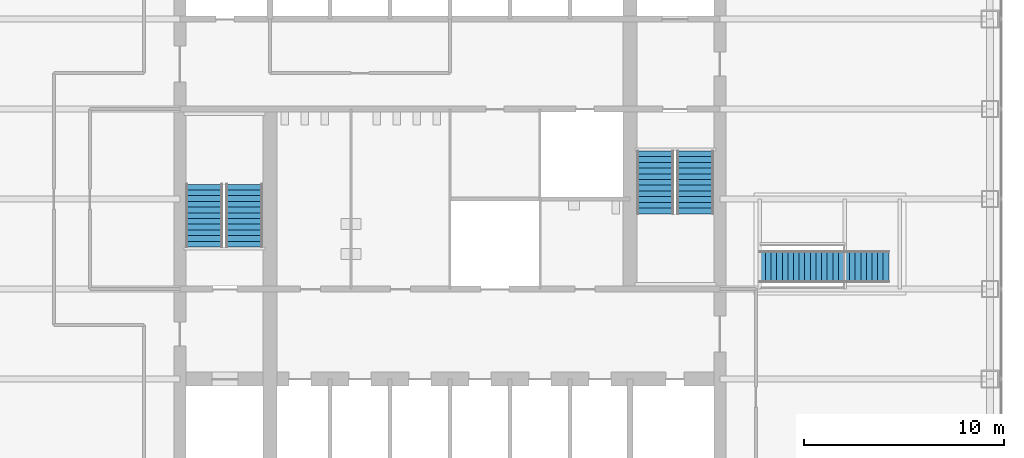
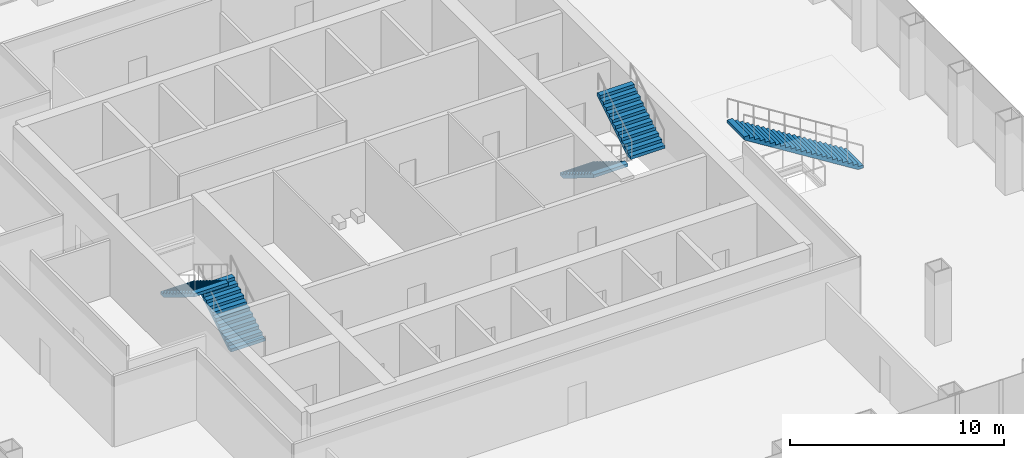
# One storey, part 10 of 12: 5 stair flights, 3 elements without a shape of their own.
"""IFC4 building model written with IfcOpenShell, lengths in metres."""

import ifcopenshell
import ifcopenshell.guid

model = None  # the IFC model being written
_history = None  # IfcOwnerHistory: only IFC2X3 demands one
_inside = {}  # id of a spatial element -> (the spatial element, [elements in it])
_under = {}  # id of a project, library or spatial element -> (it, [spatial elements below it])
_declared = {}  # id of a project -> (the project, [libraries it declares])
_typed = {}  # id of a type object -> (the type object, [elements of that type])
_made_of = {}  # id of a material, layer set ... -> (it, [elements and type objects made of it])


def new_model(schema):
    """Start an empty IFC model of exactly this schema.

    Asked for "IFC4X3", IfcOpenShell would pick the latest addendum, in which some entities
    have other attributes; the version numbers below select the first issue.
    IFC2X3 requires an IfcOwnerHistory on every rooted entity: one is made here for all.
    """
    global model, _history
    if schema == "IFC4X3":
        model = ifcopenshell.file(schema_version=(4, 3, 0, 0))
    else:
        model = ifcopenshell.file(schema=schema)
    _inside.clear()
    _under.clear()
    _declared.clear()
    _typed.clear()
    _made_of.clear()
    _history = None
    if model.schema == "IFC2X3":
        org = make("IfcOrganization", Name="unknown")
        user = make(
            "IfcPersonAndOrganization",
            ThePerson=make("IfcPerson", FamilyName="unknown"),
            TheOrganization=org,
        )
        app = make(
            "IfcApplication",
            ApplicationDeveloper=org,
            Version="unknown",
            ApplicationFullName="unknown",
            ApplicationIdentifier="unknown",
        )
        _history = make(
            "IfcOwnerHistory",
            OwningUser=user,
            OwningApplication=app,
            ChangeAction="ADDED",
            CreationDate=0,
        )
    return model


def make(cls, **values):
    """One entity of the class cls with the attributes given. An attribute that is None is left unset."""
    return model.create_entity(
        cls, **{name: value for name, value in values.items() if value is not None}
    )


def rooted(cls, **values):
    """An entity with a GlobalId (a new one), such as an element, a storey or a relation."""
    return make(cls, GlobalId=ifcopenshell.guid.new(), OwnerHistory=_history, **values)


def si_unit(unit_type, name, prefix=None):
    """IfcSIUnit, for example si_unit("LENGTHUNIT", "METRE", prefix="MILLI")."""
    return make("IfcSIUnit", UnitType=unit_type, Prefix=prefix, Name=name)


def assignment(units):
    """IfcUnitAssignment: the units of a project."""
    return None if units is None else make("IfcUnitAssignment", Units=units)


def point(xyz):
    """IfcCartesianPoint."""
    return None if xyz is None else make("IfcCartesianPoint", Coordinates=xyz)


def direction(xyz):
    """IfcDirection."""
    return None if xyz is None else make("IfcDirection", DirectionRatios=xyz)


def frame(location, z_axis=None, x_axis=None):
    """IfcAxis2Placement3D, a coordinate frame: its origin and axes. An axis left out is left unset."""
    return make(
        "IfcAxis2Placement3D",
        Location=point(location),
        Axis=direction(z_axis),
        RefDirection=direction(x_axis),
    )


def origin():
    """The frame at (0, 0, 0) with its axes left unset."""
    return frame((0.0, 0.0, 0.0))


def place(relative_to, where):
    """IfcLocalPlacement: puts the frame where relative to a parent placement (None: the world)."""
    return make(
        "IfcLocalPlacement", PlacementRelTo=relative_to, RelativePlacement=where
    )


def context(
    kind, dimensions, precision=None, world=None, true_north=None, identifier=None
):
    """IfcGeometricRepresentationContext, for example the 3D "Model" context."""
    return make(
        "IfcGeometricRepresentationContext",
        ContextIdentifier=identifier,
        ContextType=kind,
        CoordinateSpaceDimension=dimensions,
        Precision=precision,
        WorldCoordinateSystem=world,
        TrueNorth=true_north,
    )


def subcontext(parent, identifier, kind, view, scale=None):
    """IfcGeometricRepresentationSubContext, for example "Body" below "Model"."""
    return make(
        "IfcGeometricRepresentationSubContext",
        ContextIdentifier=identifier,
        ContextType=kind,
        ParentContext=parent,
        TargetScale=scale,
        TargetView=view,
    )


def project(units=None, contexts=None):
    """IfcProject with its units and contexts."""
    return rooted(
        "IfcProject",
        Name="project",
        RepresentationContexts=contexts,
        UnitsInContext=assignment(units),
    )


def spatial(cls, under=None, at=None, **own):
    """A site, building, storey or space (cls), placed at a placement, below another one or the project."""
    s = rooted(cls, ObjectPlacement=at, **own)
    if under is not None:
        _under.setdefault(under.id(), (under, []))[1].append(s)
    return s


def polyline(points):
    """IfcPolyline through the points."""
    return make("IfcPolyline", Points=[point(p) for p in points])


def outline(outer, holes=None, kind="AREA"):
    """IfcArbitraryClosedProfileDef: a profile drawn as a closed curve; with holes, ...WithVoids."""
    if holes is None:
        return make("IfcArbitraryClosedProfileDef", ProfileType=kind, OuterCurve=outer)
    return make(
        "IfcArbitraryProfileDefWithVoids",
        ProfileType=kind,
        OuterCurve=outer,
        InnerCurves=holes,
    )


def extrude(swept, where, along, depth):
    """IfcExtrudedAreaSolid: the profile swept, set in the frame where, extruded along a direction by depth."""
    return make(
        "IfcExtrudedAreaSolid",
        SweptArea=swept,
        Position=where,
        ExtrudedDirection=direction(along),
        Depth=depth,
    )


def shape(context_of_items, identifier, shape_type, items):
    """IfcShapeRepresentation: the items that make up one representation, for example the "Body"."""
    return make(
        "IfcShapeRepresentation",
        ContextOfItems=context_of_items,
        RepresentationIdentifier=identifier,
        RepresentationType=shape_type,
        Items=items,
    )


def material(Name=None, Category=None):
    """IfcMaterial."""
    return make("IfcMaterial", Name=Name, Category=Category)


def made_of(thing, what):
    """Note that an element or type object is made of a material, layer set ...; save() writes the relation."""
    if what is not None:
        _made_of.setdefault(what.id(), (what, []))[1].append(thing)
    return thing


def type_object(cls, material=None, **own):
    """A type object (cls), such as IfcWallType, which elements share."""
    return made_of(rooted(cls, **own), material)


def element(
    cls,
    number,
    at=None,
    inside=None,
    cuts=None,
    type_object=None,
    material=None,
    context=None,
    identifier="Body",
    shape_type=None,
    held_by="IfcProductDefinitionShape",
    body=None,
    shapes=None,
    **own,
):
    """One element of the class cls, such as IfcWall. Its Tag is "e" and its number.

    at: its placement. inside: the storey or other place that contains it. cuts: it is an
    opening in that element (IfcRelVoidsElement). A single representation is given by context,
    identifier, shape_type and body (its items); several are given by shapes. held_by: the class
    of the entity that holds the representations. save() writes the other relations.
    """
    e = rooted(cls, Tag="e%d" % number, ObjectPlacement=at, **own)
    if body is not None:
        shapes = [shape(context, identifier, shape_type, body)]
    if shapes is not None:
        e.Representation = make(held_by, Representations=shapes)
    if inside is not None:
        _inside.setdefault(inside.id(), (inside, []))[1].append(e)
    if cuts is not None:
        rooted(
            "IfcRelVoidsElement", RelatingBuildingElement=cuts, RelatedOpeningElement=e
        )
    if type_object is not None:
        _typed.setdefault(type_object.id(), (type_object, []))[1].append(e)
    return made_of(e, material)


def aggregate(whole, parts):
    """IfcRelAggregates: a whole, such as a stair, and the parts it consists of."""
    return rooted("IfcRelAggregates", RelatingObject=whole, RelatedObjects=parts)


def save(model, path):
    """Write the relations noted so far, then the file.

    IfcRelAggregates (storeys below a building ...), IfcRelContainedInSpatialStructure (elements
    in a storey), IfcRelDefinesByType, IfcRelAssociatesMaterial and IfcRelDeclares: one each for
    every whole, place, type object, material and project.
    """
    for whole, parts in _under.values():
        aggregate(whole, parts)
    for where, things in _inside.values():
        rooted(
            "IfcRelContainedInSpatialStructure",
            RelatedElements=things,
            RelatingStructure=where,
        )
    for kind, things in _typed.values():
        rooted("IfcRelDefinesByType", RelatedObjects=things, RelatingType=kind)
    for what, things in _made_of.values():
        rooted("IfcRelAssociatesMaterial", RelatedObjects=things, RelatingMaterial=what)
    for by, libraries in _declared.values():
        rooted("IfcRelDeclares", RelatingContext=by, RelatedDefinitions=libraries)
    model.write(path)


model = new_model("IFC4")

# Units and contexts
model_context = context("Model", 3, precision=1e-05, world=origin(), true_north=direction((0.0, 1.0)))
body_context = subcontext(model_context, "Body", "Model", "MODEL_VIEW")
ifc_project = project(units=[si_unit("LENGTHUNIT", "METRE"), si_unit("AREAUNIT", "SQUARE_METRE"), si_unit("VOLUMEUNIT", "CUBIC_METRE"), si_unit("PLANEANGLEUNIT", "RADIAN"), si_unit("MASSUNIT", "GRAM", prefix="KILO")], contexts=[model_context])

# Site, building, storey
site_placement = place(None, origin())
site = spatial("IfcSite", under=ifc_project, at=site_placement, CompositionType="ELEMENT")
building_placement = place(site_placement, origin())
building = spatial("IfcBuilding", under=site, at=building_placement, Name="Corais Broadcast Tower", CompositionType="ELEMENT")
storey_placement = place(building_placement, frame((0.0, 0.0, 33.199951171875)))
storey = spatial("IfcBuildingStorey", under=building, at=storey_placement, Name="L06", CompositionType="ELEMENT", Elevation=33.199951171875)

# Stair, stair flight
ifc_material_1 = material(Name="Steel ASTM A572 Grade 50", Category="steel")
stair_type_1 = type_object("IfcStairType", Name="Feature stair", PredefinedType="STRAIGHT_RUN_STAIR", material=ifc_material_1)
stair_1_placement = place(storey_placement, origin())
stair_1 = element("IfcStair", 1, at=stair_1_placement, inside=storey, type_object=stair_type_1, Name="Feature stair L06", PredefinedType="STRAIGHT_RUN_STAIR")
ifc_material_2 = material(Name="Steel ASTM A572 Grade 50", Category="steel")
stair_flight_type_1 = type_object("IfcStairFlightType", Name="Feature stair flight", PredefinedType="STRAIGHT", material=ifc_material_2)
stair_flight_1_placement = place(storey_placement, frame((48.93994140625, 23.625, 0.0), z_axis=(0.0, 0.0, 1.0), x_axis=(-1.0, 0.0, 0.0)))
stair_flight_1 = element("IfcStairFlight", 2, at=stair_flight_1_placement, type_object=stair_flight_type_1, Name="FS1 flight 1", NumberOfRisers=24, NumberOfTreads=23, PredefinedType="STRAIGHT", RiserHeight=0.175, TreadLength=0.28, context=body_context, shape_type="SweptSolid", body=[
    extrude(outline(polyline([(0.0, 0.0), (0.0, 0.175048828125), (0.280029296875, 0.175048828125), (0.280029296875, 0.35009765625), (0.56005859375, 0.35009765625), (0.56005859375, 0.52490234375), (0.840087890625, 0.52490234375), (0.840087890625, 0.699951171875), (1.1201171875, 0.699951171875), (1.1201171875, 0.875), (1.39990234375, 0.875), (1.39990234375, 1.050048828125), (1.679931640625, 1.050048828125), (1.679931640625, 1.22509765625), (1.9599609375, 1.22509765625), (1.9599609375, 1.39990234375), (2.239990234375, 1.39990234375), (2.239990234375, 1.574951171875), (2.52001953125, 1.574951171875), (2.52001953125, 1.75), (2.800048828125, 1.75), (2.800048828125, 1.925048828125), (3.080078125, 1.925048828125), (3.080078125, 2.10009765625), (3.360107421875, 2.10009765625), (3.360107421875, 2.27490234375), (3.639892578125, 2.27490234375), (3.639892578125, 2.449951171875), (3.919921875, 2.449951171875), (3.919921875, 2.625), (4.199951171875, 2.625), (4.199951171875, 2.800048828125), (4.47998046875, 2.800048828125), (4.47998046875, 2.97509765625), (4.760009765625, 2.97509765625), (4.760009765625, 3.14990234375), (5.0400390625, 3.14990234375), (5.0400390625, 3.324951171875), (5.320068359375, 3.324951171875), (5.320068359375, 3.5), (5.60009765625, 3.5), (5.60009765625, 3.675048828125), (5.8798828125, 3.675048828125), (5.8798828125, 3.85009765625), (6.159912109375, 3.85009765625), (6.159912109375, 4.02490234375), (6.43994140625, 4.02490234375), (6.43994140625, 4.199951171875), (6.43994140625, 3.84814453125), (0.28271484375, 0.0), (0.0, 0.0)])), frame((0.0, 0.800048828125, 0.0), z_axis=(0.0, -1.0, 0.0), x_axis=(1.0, 0.0, 0.0)), (0.0, 0.0, 1.0), 1.60009765625),
])
aggregate(stair_1, [stair_flight_1])

# Stair, stair flights
ifc_material_3 = material(Name="Concrete C30/37", Category="concrete")
stair_type_2 = type_object("IfcStairType", Name="Half-turn stair 4200", PredefinedType="HALF_TURN_STAIR", material=ifc_material_3)
stair_2_placement = place(storey_placement, origin())
stair_2 = element("IfcStair", 3, at=stair_2_placement, inside=storey, type_object=stair_type_2, Name="Stair A L06", PredefinedType="HALF_TURN_STAIR")
ifc_material_4 = material(Name="Concrete C30/37", Category="concrete")
stair_flight_type_2 = type_object("IfcStairFlightType", Name="Stair flight 4200", PredefinedType="STRAIGHT", material=ifc_material_4)
stair_flight_2_placement = place(storey_placement, frame((16.72509765625, 24.60009765625, 0.0), z_axis=(0.0, 0.0, 1.0), x_axis=(0.0, 1.0, 0.0)))
stair_flight_2 = element("IfcStairFlight", 4, at=stair_flight_2_placement, type_object=stair_flight_type_2, Name="STA flight 1", NumberOfRisers=12, NumberOfTreads=11, PredefinedType="STRAIGHT", RiserHeight=0.175, TreadLength=0.285, context=body_context, shape_type="SweptSolid", body=[
    extrude(outline(polyline([(0.0, 0.0), (0.0, 0.175048828125), (0.284912109375, 0.175048828125), (0.284912109375, 0.35009765625), (0.570068359375, 0.35009765625), (0.570068359375, 0.52490234375), (0.85498046875, 0.52490234375), (0.85498046875, 0.699951171875), (1.139892578125, 0.699951171875), (1.139892578125, 0.875), (1.425048828125, 0.875), (1.425048828125, 1.050048828125), (1.7099609375, 1.050048828125), (1.7099609375, 1.22509765625), (1.9951171875, 1.22509765625), (1.9951171875, 1.39990234375), (2.280029296875, 1.39990234375), (2.280029296875, 1.574951171875), (2.56494140625, 1.574951171875), (2.56494140625, 1.75), (2.85009765625, 1.75), (2.85009765625, 1.925048828125), (3.135009765625, 1.925048828125), (3.135009765625, 2.10009765625), (3.135009765625, 1.7490234375), (0.286376953125, 0.0), (0.0, 0.0)])), frame((0.0, 0.925048828125, 0.0), z_axis=(0.0, -1.0, 0.0), x_axis=(1.0, 0.0, 0.0)), (0.0, 0.0, 1.0), 1.85009765625),
])
stair_flight_3_placement = place(storey_placement, frame((14.72509765625, 27.735107421875, 2.10009765625), z_axis=(0.0, 0.0, 1.0), x_axis=(0.0, -1.0, 0.0)))
stair_flight_3 = element("IfcStairFlight", 5, at=stair_flight_3_placement, type_object=stair_flight_type_2, Name="STA flight 2", NumberOfRisers=12, NumberOfTreads=11, PredefinedType="STRAIGHT", RiserHeight=0.175, TreadLength=0.285, context=body_context, shape_type="SweptSolid", body=[
    extrude(outline(polyline([(0.0, 0.0), (0.0, 0.175048828125), (0.284912109375, 0.175048828125), (0.284912109375, 0.35009765625), (0.570068359375, 0.35009765625), (0.570068359375, 0.52490234375), (0.85498046875, 0.52490234375), (0.85498046875, 0.699951171875), (1.139892578125, 0.699951171875), (1.139892578125, 0.875), (1.425048828125, 0.875), (1.425048828125, 1.050048828125), (1.7099609375, 1.050048828125), (1.7099609375, 1.22509765625), (1.9951171875, 1.22509765625), (1.9951171875, 1.39990234375), (2.280029296875, 1.39990234375), (2.280029296875, 1.574951171875), (2.56494140625, 1.574951171875), (2.56494140625, 1.75), (2.85009765625, 1.75), (2.85009765625, 1.925048828125), (3.135009765625, 1.925048828125), (3.135009765625, 2.10009765625), (3.135009765625, 1.7490234375), (0.286376953125, 0.0), (0.0, 0.0)])), frame((0.0, 0.925048828125, 0.0), z_axis=(0.0, -1.0, 0.0), x_axis=(1.0, 0.0, 0.0)), (0.0, 0.0, 1.0), 1.85009765625),
])
aggregate(stair_2, [stair_flight_2, stair_flight_3])

stair_3_placement = place(storey_placement, origin())
stair_3 = element("IfcStair", 6, at=stair_3_placement, inside=storey, type_object=stair_type_2, Name="Stair B L06", PredefinedType="HALF_TURN_STAIR")
stair_flight_4_placement = place(storey_placement, frame((37.27490234375, 29.39990234375, 0.0), z_axis=(0.0, 0.0, 1.0), x_axis=(0.0, -1.0, 0.0)))
stair_flight_4 = element("IfcStairFlight", 7, at=stair_flight_4_placement, type_object=stair_flight_type_2, Name="STB flight 1", NumberOfRisers=12, NumberOfTreads=11, PredefinedType="STRAIGHT", RiserHeight=0.175, TreadLength=0.285, context=body_context, shape_type="SweptSolid", body=[
    extrude(outline(polyline([(0.0, 0.0), (0.0, 0.175048828125), (0.284912109375, 0.175048828125), (0.284912109375, 0.35009765625), (0.570068359375, 0.35009765625), (0.570068359375, 0.52490234375), (0.85498046875, 0.52490234375), (0.85498046875, 0.699951171875), (1.139892578125, 0.699951171875), (1.139892578125, 0.875), (1.425048828125, 0.875), (1.425048828125, 1.050048828125), (1.7099609375, 1.050048828125), (1.7099609375, 1.22509765625), (1.9951171875, 1.22509765625), (1.9951171875, 1.39990234375), (2.280029296875, 1.39990234375), (2.280029296875, 1.574951171875), (2.56494140625, 1.574951171875), (2.56494140625, 1.75), (2.85009765625, 1.75), (2.85009765625, 1.925048828125), (3.135009765625, 1.925048828125), (3.135009765625, 2.10009765625), (3.135009765625, 1.7490234375), (0.286376953125, 0.0), (0.0, 0.0)])), frame((0.0, 0.925048828125, 0.0), z_axis=(0.0, -1.0, 0.0), x_axis=(1.0, 0.0, 0.0)), (0.0, 0.0, 1.0), 1.85009765625),
])
stair_flight_5_placement = place(storey_placement, frame((39.27490234375, 26.264892578125, 2.10009765625), z_axis=(0.0, 0.0, 1.0), x_axis=(0.0, 1.0, 0.0)))
stair_flight_5 = element("IfcStairFlight", 8, at=stair_flight_5_placement, type_object=stair_flight_type_2, Name="STB flight 2", NumberOfRisers=12, NumberOfTreads=11, PredefinedType="STRAIGHT", RiserHeight=0.175, TreadLength=0.285, context=body_context, shape_type="SweptSolid", body=[
    extrude(outline(polyline([(0.0, 0.0), (0.0, 0.175048828125), (0.284912109375, 0.175048828125), (0.284912109375, 0.35009765625), (0.570068359375, 0.35009765625), (0.570068359375, 0.52490234375), (0.85498046875, 0.52490234375), (0.85498046875, 0.699951171875), (1.139892578125, 0.699951171875), (1.139892578125, 0.875), (1.425048828125, 0.875), (1.425048828125, 1.050048828125), (1.7099609375, 1.050048828125), (1.7099609375, 1.22509765625), (1.9951171875, 1.22509765625), (1.9951171875, 1.39990234375), (2.280029296875, 1.39990234375), (2.280029296875, 1.574951171875), (2.56494140625, 1.574951171875), (2.56494140625, 1.75), (2.85009765625, 1.75), (2.85009765625, 1.925048828125), (3.135009765625, 1.925048828125), (3.135009765625, 2.10009765625), (3.135009765625, 1.7490234375), (0.286376953125, 0.0), (0.0, 0.0)])), frame((0.0, 0.925048828125, 0.0), z_axis=(0.0, -1.0, 0.0), x_axis=(1.0, 0.0, 0.0)), (0.0, 0.0, 1.0), 1.85009765625),
])
aggregate(stair_3, [stair_flight_4, stair_flight_5])

save(model, "model.ifc")
